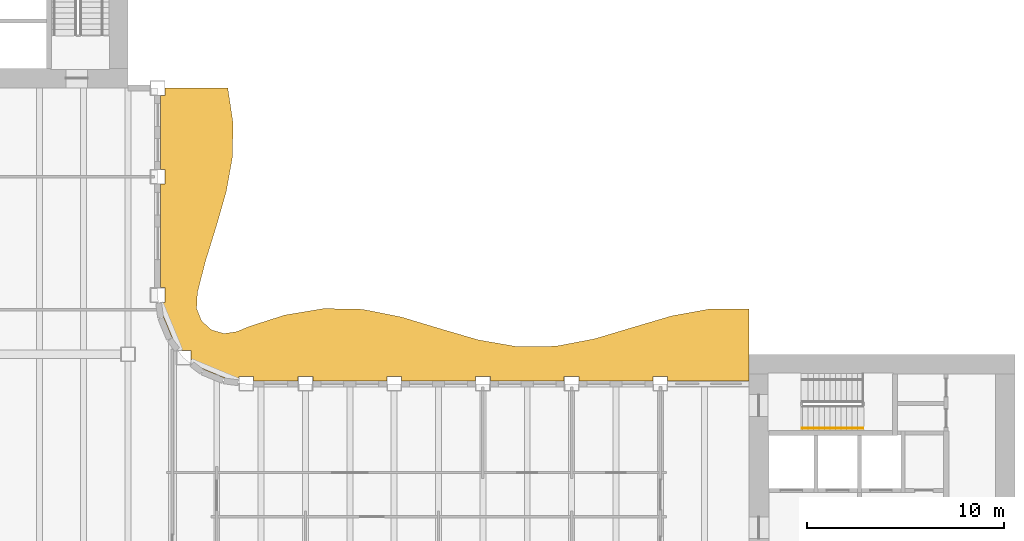
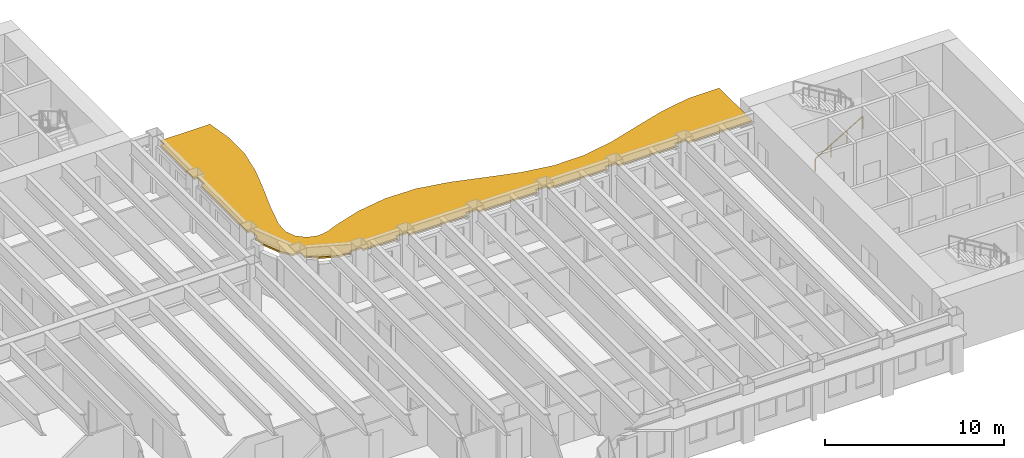
# One storey, part 14 of 16: 1 railing, 1 shading device.
"""IFC4 building model written with IfcOpenShell, lengths in metres."""

import ifcopenshell
import ifcopenshell.guid

model = None  # the IFC model being written
_history = None  # IfcOwnerHistory: only IFC2X3 demands one
_inside = {}  # id of a spatial element -> (the spatial element, [elements in it])
_under = {}  # id of a project, library or spatial element -> (it, [spatial elements below it])
_declared = {}  # id of a project -> (the project, [libraries it declares])
_typed = {}  # id of a type object -> (the type object, [elements of that type])
_made_of = {}  # id of a material, layer set ... -> (it, [elements and type objects made of it])


def new_model(schema):
    """Start an empty IFC model of exactly this schema.

    Asked for "IFC4X3", IfcOpenShell would pick the latest addendum, in which some entities
    have other attributes; the version numbers below select the first issue.
    IFC2X3 requires an IfcOwnerHistory on every rooted entity: one is made here for all.
    """
    global model, _history
    if schema == "IFC4X3":
        model = ifcopenshell.file(schema_version=(4, 3, 0, 0))
    else:
        model = ifcopenshell.file(schema=schema)
    _inside.clear()
    _under.clear()
    _declared.clear()
    _typed.clear()
    _made_of.clear()
    _history = None
    if model.schema == "IFC2X3":
        org = make("IfcOrganization", Name="unknown")
        user = make(
            "IfcPersonAndOrganization",
            ThePerson=make("IfcPerson", FamilyName="unknown"),
            TheOrganization=org,
        )
        app = make(
            "IfcApplication",
            ApplicationDeveloper=org,
            Version="unknown",
            ApplicationFullName="unknown",
            ApplicationIdentifier="unknown",
        )
        _history = make(
            "IfcOwnerHistory",
            OwningUser=user,
            OwningApplication=app,
            ChangeAction="ADDED",
            CreationDate=0,
        )
    return model


def make(cls, **values):
    """One entity of the class cls with the attributes given. An attribute that is None is left unset."""
    return model.create_entity(
        cls, **{name: value for name, value in values.items() if value is not None}
    )


def rooted(cls, **values):
    """An entity with a GlobalId (a new one), such as an element, a storey or a relation."""
    return make(cls, GlobalId=ifcopenshell.guid.new(), OwnerHistory=_history, **values)


def si_unit(unit_type, name, prefix=None):
    """IfcSIUnit, for example si_unit("LENGTHUNIT", "METRE", prefix="MILLI")."""
    return make("IfcSIUnit", UnitType=unit_type, Prefix=prefix, Name=name)


def assignment(units):
    """IfcUnitAssignment: the units of a project."""
    return None if units is None else make("IfcUnitAssignment", Units=units)


def point(xyz):
    """IfcCartesianPoint."""
    return None if xyz is None else make("IfcCartesianPoint", Coordinates=xyz)


def direction(xyz):
    """IfcDirection."""
    return None if xyz is None else make("IfcDirection", DirectionRatios=xyz)


def frame(location, z_axis=None, x_axis=None):
    """IfcAxis2Placement3D, a coordinate frame: its origin and axes. An axis left out is left unset."""
    return make(
        "IfcAxis2Placement3D",
        Location=point(location),
        Axis=direction(z_axis),
        RefDirection=direction(x_axis),
    )


def frame_2d(location, x_axis=None):
    """IfcAxis2Placement2D, a coordinate frame in the plane: its origin and x axis."""
    return make(
        "IfcAxis2Placement2D", Location=point(location), RefDirection=direction(x_axis)
    )


def origin():
    """The frame at (0, 0, 0) with its axes left unset."""
    return frame((0.0, 0.0, 0.0))


def origin_2d():
    """The frame at (0, 0) in the plane with its x axis left unset."""
    return frame_2d((0.0, 0.0))


def place(relative_to, where):
    """IfcLocalPlacement: puts the frame where relative to a parent placement (None: the world)."""
    return make(
        "IfcLocalPlacement", PlacementRelTo=relative_to, RelativePlacement=where
    )


def context(
    kind, dimensions, precision=None, world=None, true_north=None, identifier=None
):
    """IfcGeometricRepresentationContext, for example the 3D "Model" context."""
    return make(
        "IfcGeometricRepresentationContext",
        ContextIdentifier=identifier,
        ContextType=kind,
        CoordinateSpaceDimension=dimensions,
        Precision=precision,
        WorldCoordinateSystem=world,
        TrueNorth=true_north,
    )


def subcontext(parent, identifier, kind, view, scale=None):
    """IfcGeometricRepresentationSubContext, for example "Body" below "Model"."""
    return make(
        "IfcGeometricRepresentationSubContext",
        ContextIdentifier=identifier,
        ContextType=kind,
        ParentContext=parent,
        TargetScale=scale,
        TargetView=view,
    )


def project(units=None, contexts=None):
    """IfcProject with its units and contexts."""
    return rooted(
        "IfcProject",
        Name="project",
        RepresentationContexts=contexts,
        UnitsInContext=assignment(units),
    )


def spatial(cls, under=None, at=None, **own):
    """A site, building, storey or space (cls), placed at a placement, below another one or the project."""
    s = rooted(cls, ObjectPlacement=at, **own)
    if under is not None:
        _under.setdefault(under.id(), (under, []))[1].append(s)
    return s


def polyline(points):
    """IfcPolyline through the points."""
    return make("IfcPolyline", Points=[point(p) for p in points])


def profile(cls, at=None, kind="AREA", **sizes):
    """A parametric profile (cls). Its sizes go by their IFC names, for example OverallWidth=200.0."""
    return make(cls, ProfileType=kind, Position=at, **sizes)


def rectangle(**sizes):
    """IfcRectangleProfileDef."""
    return profile("IfcRectangleProfileDef", **sizes)


def outline(outer, holes=None, kind="AREA"):
    """IfcArbitraryClosedProfileDef: a profile drawn as a closed curve; with holes, ...WithVoids."""
    if holes is None:
        return make("IfcArbitraryClosedProfileDef", ProfileType=kind, OuterCurve=outer)
    return make(
        "IfcArbitraryProfileDefWithVoids",
        ProfileType=kind,
        OuterCurve=outer,
        InnerCurves=holes,
    )


def extrude(swept, where, along, depth):
    """IfcExtrudedAreaSolid: the profile swept, set in the frame where, extruded along a direction by depth."""
    return make(
        "IfcExtrudedAreaSolid",
        SweptArea=swept,
        Position=where,
        ExtrudedDirection=direction(along),
        Depth=depth,
    )


def shape(context_of_items, identifier, shape_type, items):
    """IfcShapeRepresentation: the items that make up one representation, for example the "Body"."""
    return make(
        "IfcShapeRepresentation",
        ContextOfItems=context_of_items,
        RepresentationIdentifier=identifier,
        RepresentationType=shape_type,
        Items=items,
    )


def material(Name=None, Category=None):
    """IfcMaterial."""
    return make("IfcMaterial", Name=Name, Category=Category)


def layer(
    of_material, thickness, ventilated=None, Name=None, Category=None, Priority=None
):
    """IfcMaterialLayer: one layer of a wall or slab, of a material (None: an air gap)."""
    return make(
        "IfcMaterialLayer",
        Material=of_material,
        LayerThickness=thickness,
        IsVentilated=ventilated,
        Name=Name,
        Category=Category,
        Priority=Priority,
    )


def layer_set(layers, Name=None):
    """IfcMaterialLayerSet."""
    return make("IfcMaterialLayerSet", MaterialLayers=layers, LayerSetName=Name)


def made_of(thing, what):
    """Note that an element or type object is made of a material, layer set ...; save() writes the relation."""
    if what is not None:
        _made_of.setdefault(what.id(), (what, []))[1].append(thing)
    return thing


def type_object(cls, material=None, **own):
    """A type object (cls), such as IfcWallType, which elements share."""
    return made_of(rooted(cls, **own), material)


def element(
    cls,
    number,
    at=None,
    inside=None,
    cuts=None,
    type_object=None,
    material=None,
    context=None,
    identifier="Body",
    shape_type=None,
    held_by="IfcProductDefinitionShape",
    body=None,
    shapes=None,
    **own,
):
    """One element of the class cls, such as IfcWall. Its Tag is "e" and its number.

    at: its placement. inside: the storey or other place that contains it. cuts: it is an
    opening in that element (IfcRelVoidsElement). A single representation is given by context,
    identifier, shape_type and body (its items); several are given by shapes. held_by: the class
    of the entity that holds the representations. save() writes the other relations.
    """
    e = rooted(cls, Tag="e%d" % number, ObjectPlacement=at, **own)
    if body is not None:
        shapes = [shape(context, identifier, shape_type, body)]
    if shapes is not None:
        e.Representation = make(held_by, Representations=shapes)
    if inside is not None:
        _inside.setdefault(inside.id(), (inside, []))[1].append(e)
    if cuts is not None:
        rooted(
            "IfcRelVoidsElement", RelatingBuildingElement=cuts, RelatedOpeningElement=e
        )
    if type_object is not None:
        _typed.setdefault(type_object.id(), (type_object, []))[1].append(e)
    return made_of(e, material)


def aggregate(whole, parts):
    """IfcRelAggregates: a whole, such as a stair, and the parts it consists of."""
    return rooted("IfcRelAggregates", RelatingObject=whole, RelatedObjects=parts)


def save(model, path):
    """Write the relations noted so far, then the file.

    IfcRelAggregates (storeys below a building ...), IfcRelContainedInSpatialStructure (elements
    in a storey), IfcRelDefinesByType, IfcRelAssociatesMaterial and IfcRelDeclares: one each for
    every whole, place, type object, material and project.
    """
    for whole, parts in _under.values():
        aggregate(whole, parts)
    for where, things in _inside.values():
        rooted(
            "IfcRelContainedInSpatialStructure",
            RelatedElements=things,
            RelatingStructure=where,
        )
    for kind, things in _typed.values():
        rooted("IfcRelDefinesByType", RelatedObjects=things, RelatingType=kind)
    for what, things in _made_of.values():
        rooted("IfcRelAssociatesMaterial", RelatedObjects=things, RelatingMaterial=what)
    for by, libraries in _declared.values():
        rooted("IfcRelDeclares", RelatingContext=by, RelatedDefinitions=libraries)
    model.write(path)


model = new_model("IFC4")

# Units and contexts
model_context = context("Model", 3, precision=1e-05, world=origin(), true_north=direction((0.0, 1.0)))
body_context = subcontext(model_context, "Body", "Model", "MODEL_VIEW")
ifc_project = project(units=[si_unit("LENGTHUNIT", "METRE"), si_unit("AREAUNIT", "SQUARE_METRE"), si_unit("VOLUMEUNIT", "CUBIC_METRE"), si_unit("PLANEANGLEUNIT", "RADIAN"), si_unit("MASSUNIT", "GRAM", prefix="KILO")], contexts=[model_context])

# Site, building, storey
site_placement = place(None, origin())
site = spatial("IfcSite", under=ifc_project, at=site_placement, CompositionType="ELEMENT")
building_placement = place(site_placement, origin())
building = spatial("IfcBuilding", under=site, at=building_placement, Name="Sennacour Bend Tower", CompositionType="ELEMENT")
storey_placement = place(building_placement, frame((0.0, 0.0, 223.0)))
storey = spatial("IfcBuildingStorey", under=building, at=storey_placement, Name="L51", CompositionType="ELEMENT", Elevation=223.0)

# Railing
ifc_material_1 = material(Name="Stainless steel", Category="steel")
railing_type = type_object("IfcRailingType", Name="RL-HANDRAIL-900", PredefinedType="HANDRAIL", material=ifc_material_1)
railing_placement = place(storey_placement, frame((56.699951171875, 18.75, 0.166748046875)))
element("IfcRailing", 1, at=railing_placement, inside=storey, type_object=railing_type, Name="L51 SA2 stair handrail 1", PredefinedType="HANDRAIL", context=body_context, shape_type="SweptSolid", body=[
    extrude(rectangle(XDim=0.048095703125, YDim=0.048095703125, at=origin_2d()), frame((0.0, 0.0, 0.8759765625), z_axis=(0.859308565015, 0.0, 0.511457515432), x_axis=(0.0, 1.0, 0.0)), (0.0, 0.0, 1.0), 3.58447265625),
    extrude(rectangle(XDim=0.0419921875, YDim=0.0419921875, at=origin_2d()), origin(), (0.0, 0.0, 1.0), 0.851806640625),
    extrude(rectangle(XDim=0.0419921875, YDim=0.0419921875, at=origin_2d()), frame((1.026611328125, 0.0, 0.611083984375)), (0.0, 0.0, 1.0), 0.851806640625),
    extrude(rectangle(XDim=0.0419921875, YDim=0.0419921875, at=origin_2d()), frame((2.053466796875, 0.0, 1.22216796875)), (0.0, 0.0, 1.0), 0.851806640625),
    extrude(rectangle(XDim=0.0419921875, YDim=0.0419921875, at=origin_2d()), frame((3.080078125, 0.0, 1.833251953125)), (0.0, 0.0, 1.0), 0.851806640625),
])

# Shading device
ifc_material_2 = material(Name="Bronze anodised aluminium", Category="aluminium")
ifc_layer = layer(ifc_material_2, 0.1201171875, Name="Bronze anodised aluminium", Category="aluminium")
ifc_layer_set = layer_set([ifc_layer], Name="Bronze anodised aluminium")
shading_device_type = type_object("IfcShadingDeviceType", Name="SUNSHADE BAND WAVE", PredefinedType="USERDEFINED", material=ifc_layer_set)
shading_device_placement = place(storey_placement, frame((0.0, 0.0, 3.037109375)))
element("IfcShadingDevice", 2, at=shading_device_placement, inside=storey, type_object=shading_device_type, Name="Sunshade band L51 concave faces", ObjectType="SUNSHADE", PredefinedType="USERDEFINED", context=body_context, shape_type="SweptSolid", body=[
    extrude(outline(polyline([(54.0, 21.14990234375), (49.875, 21.14990234375), (49.875, 21.375), (49.125, 21.375), (49.125, 21.14990234375), (45.375, 21.14990234375), (45.375, 21.375), (44.625, 21.375), (44.625, 21.14990234375), (40.875, 21.14990234375), (40.875, 21.375), (40.125, 21.375), (40.125, 21.14990234375), (36.375, 21.14990234375), (36.375, 21.375), (35.625, 21.375), (35.625, 21.14990234375), (31.875, 21.14990234375), (31.875, 21.375), (31.125, 21.375), (31.125, 21.14990234375), (28.875, 21.14990234375), (28.875, 21.375), (28.125, 21.375), (28.125, 21.20068359375), (27.37451171875, 21.299560546875), (26.32568359375, 21.73388671875), (25.693115234375, 22.21923828125), (25.693115234375, 22.693115234375), (25.21923828125, 22.693115234375), (24.73388671875, 23.32568359375), (24.299560546875, 24.37451171875), (24.20068359375, 25.125), (24.375, 25.125), (24.375, 25.875), (24.14990234375, 25.875), (24.14990234375, 31.125), (24.375, 31.125), (24.375, 31.875), (24.14990234375, 31.875), (24.14990234375, 35.625), (24.375, 35.625), (24.375, 36.0), (27.560791015625, 36.0), (27.82470703125, 34.25), (27.7958984375, 32.5), (27.482666015625, 30.75), (26.979248046875, 29.0), (26.43701171875, 27.25), (26.018798828125, 25.63232421875), (25.978515625, 24.824462890625), (26.2294921875, 24.189208984375), (26.73486328125, 23.73486328125), (27.37451171875, 23.55029296875), (28.0029296875, 23.645263671875), (28.69189453125, 23.926025390625), (30.46142578125, 24.4931640625), (32.423095703125, 24.819091796875), (34.384521484375, 24.78125), (36.34619140625, 24.394287109375), (38.3076171875, 23.802978515625), (40.269287109375, 23.2294921875), (42.230712890625, 22.888671875), (44.1923828125, 22.908447265625), (46.15380859375, 23.28125), (48.115478515625, 23.86767578125), (50.076904296875, 24.447265625), (52.03857421875, 24.802978515625), (54.0, 24.801025390625), (54.0, 21.14990234375)])), origin(), (0.0, 0.0, 1.0), 0.119873046875),
])

save(model, "model.ifc")
